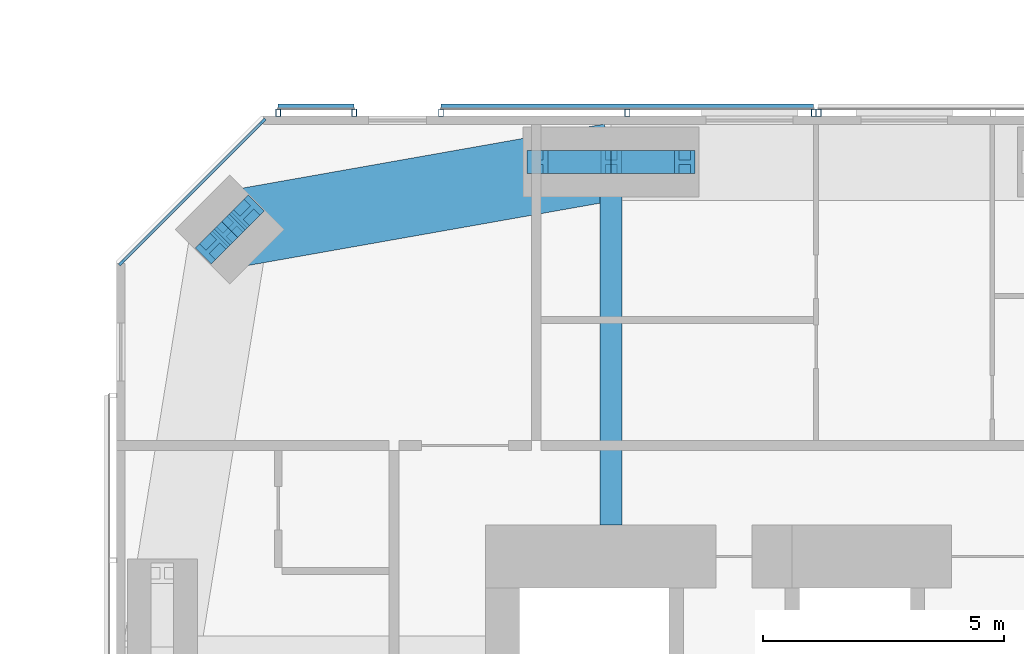
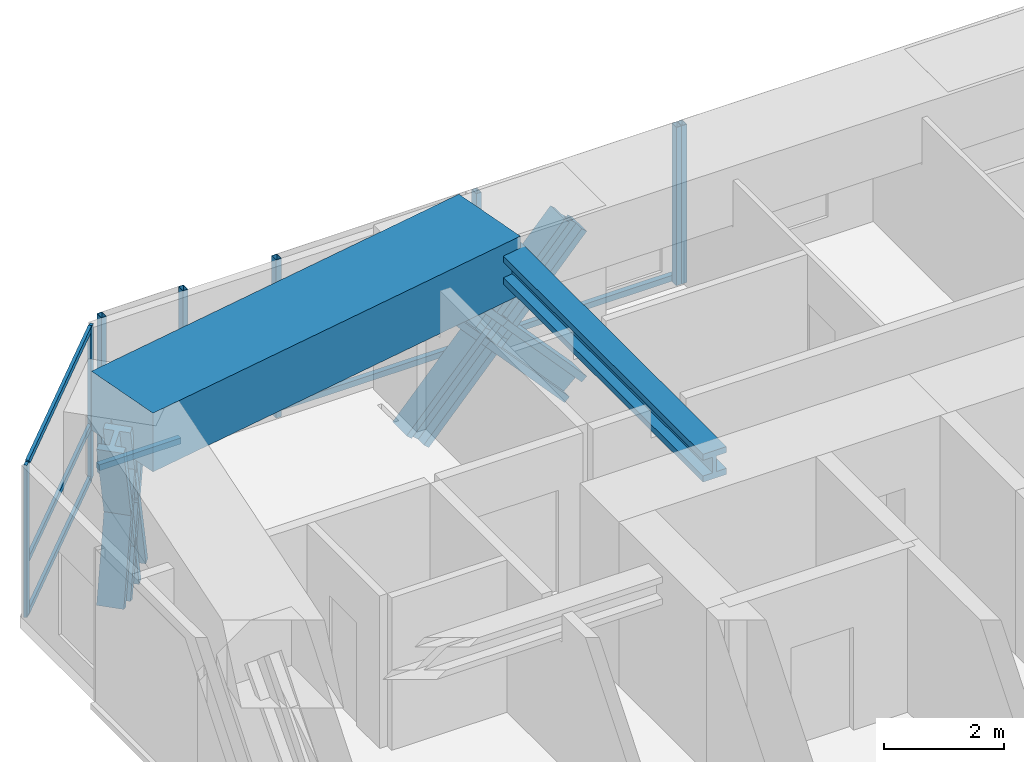
# One storey, part 11 of 23: 21 members, 2 beams, 4 elements without a shape of their own.
"""IFC4 building model written with IfcOpenShell, lengths in metres."""

from ifc_helpers import new_model, si_unit, direction, frame, origin, origin_2d, place, context, subcontext, project, spatial, rectangle, hollow_rectangle, i_section, extrude, material, material_profile, profile_set, type_object, element, aggregate, save


model = new_model("IFC4")

# Units and contexts
model_context = context("Model", 3, precision=1e-05, world=origin(), true_north=direction((0.0, 1.0)))
body_context = subcontext(model_context, "Body", "Model", "MODEL_VIEW")
ifc_project = project(units=[si_unit("LENGTHUNIT", "METRE"), si_unit("AREAUNIT", "SQUARE_METRE"), si_unit("VOLUMEUNIT", "CUBIC_METRE"), si_unit("PLANEANGLEUNIT", "RADIAN"), si_unit("MASSUNIT", "GRAM", prefix="KILO")], contexts=[model_context])

# Site, building, storey
site_placement = place(None, origin())
site = spatial("IfcSite", under=ifc_project, at=site_placement, CompositionType="ELEMENT")
building_placement = place(site_placement, origin())
building = spatial("IfcBuilding", under=site, at=building_placement, Name="Jalousie Tower", CompositionType="ELEMENT")
storey_placement = place(building_placement, frame((0.0, 0.0, 181.14990234375)))
storey = spatial("IfcBuildingStorey", under=building, at=storey_placement, Name="L49", CompositionType="ELEMENT", Elevation=181.14990234375)

# Curtain wall, members
ifc_material_1 = material(Name="Aluminium curtain wall", Category="aluminium")
curtain_wall_type_1 = type_object("IfcCurtainWallType", Name="CORNER WINDOW WALL", PredefinedType="USERDEFINED", material=ifc_material_1)
curtain_wall_1_placement = place(storey_placement, origin())
curtain_wall_1 = element("IfcCurtainWall", 1, at=curtain_wall_1_placement, inside=storey, type_object=curtain_wall_type_1, Name="Corner Window Wall L49 6", ObjectType="CORNER WINDOW WALL", PredefinedType="USERDEFINED")
ifc_material_2 = material(Name="Aluminium mullion", Category="aluminium")
ifc_material_profile_1 = material_profile(ifc_material_2, rectangle(XDim=0.06005859375, YDim=0.14990234375, at=origin_2d()), Name="MULLION 60x150")
ifc_profile_set_1 = profile_set([ifc_material_profile_1], Name="Aluminium mullion")
member_type_1 = type_object("IfcMemberType", Name="CORNER WINDOW WALL MULLION", PredefinedType="MULLION", material=ifc_profile_set_1)
member_1_placement = place(storey_placement, frame((15.030029296875, 35.891357421875, 0.0), z_axis=(0.0, 0.0, 1.0), x_axis=(0.707106781187, -0.707106781187, 0.0)))
member_1 = element("IfcMember", 2, at=member_1_placement, type_object=member_type_1, Name="CW-C mullion 1", PredefinedType="MULLION", context=body_context, shape_type="SweptSolid", body=[
    extrude(rectangle(XDim=0.06005859375, YDim=0.14990234375, at=origin_2d()), origin(), (0.0, 0.0, 1.0), 3.110107421875),
])
member_2_placement = place(storey_placement, frame((12.108642578125, 32.969970703125, 0.0), z_axis=(0.0, 0.0, 1.0), x_axis=(0.707106781187, -0.707106781187, 0.0)))
member_2 = element("IfcMember", 3, at=member_2_placement, type_object=member_type_1, Name="CW-C mullion 2", PredefinedType="MULLION", context=body_context, shape_type="SweptSolid", body=[
    extrude(rectangle(XDim=0.06005859375, YDim=0.14990234375, at=origin_2d()), origin(), (0.0, 0.0, 1.0), 3.110107421875),
])
ifc_material_3 = material(Name="Aluminium transom", Category="aluminium")
ifc_material_profile_2 = material_profile(ifc_material_3, rectangle(XDim=0.06005859375, YDim=0.1201171875, at=origin_2d()), Name="TRANSOM 60x120")
ifc_profile_set_2 = profile_set([ifc_material_profile_2], Name="Aluminium transom")
member_type_2 = type_object("IfcMemberType", Name="CORNER WINDOW WALL TRANSOM", PredefinedType="USERDEFINED", material=ifc_profile_set_2)
member_3_placement = place(storey_placement, frame((15.0087890625, 35.8701171875, 0.030029296875), z_axis=(-0.707106781187, -0.707106781187, 0.0), x_axis=(0.707106781187, -0.707106781187, 0.0)))
member_3 = element("IfcMember", 4, at=member_3_placement, type_object=member_type_2, Name="CW-C transom 1.1", ObjectType="TRANSOM", PredefinedType="USERDEFINED", context=body_context, shape_type="SweptSolid", body=[
    extrude(rectangle(XDim=0.06005859375, YDim=0.1201171875, at=origin_2d()), origin(), (0.0, 0.0, 1.0), 4.0712890625),
])
member_4_placement = place(storey_placement, frame((15.0087890625, 35.8701171875, 1.10009765625), z_axis=(-0.707106781187, -0.707106781187, 0.0), x_axis=(0.707106781187, -0.707106781187, 0.0)))
member_4 = element("IfcMember", 5, at=member_4_placement, type_object=member_type_2, Name="CW-C transom 1.2", ObjectType="TRANSOM", PredefinedType="USERDEFINED", context=body_context, shape_type="SweptSolid", body=[
    extrude(rectangle(XDim=0.06005859375, YDim=0.1201171875, at=origin_2d()), origin(), (0.0, 0.0, 1.0), 4.0712890625),
])
member_5_placement = place(storey_placement, frame((15.0087890625, 35.8701171875, 3.080078125), z_axis=(-0.707106781187, -0.707106781187, 0.0), x_axis=(0.707106781187, -0.707106781187, 0.0)))
member_5 = element("IfcMember", 6, at=member_5_placement, type_object=member_type_2, Name="CW-C transom 1.3", ObjectType="TRANSOM", PredefinedType="USERDEFINED", context=body_context, shape_type="SweptSolid", body=[
    extrude(rectangle(XDim=0.06005859375, YDim=0.1201171875, at=origin_2d()), origin(), (0.0, 0.0, 1.0), 4.0712890625),
])
aggregate(curtain_wall_1, [member_1, member_2, member_3, member_4, member_5])

# Beam
ifc_material_4 = material(Name="Steel ASTM A992 Grade 50", Category="steel")
ifc_material_profile_3 = material_profile(ifc_material_4, i_section(OverallWidth=0.45458984375, OverallDepth=0.569091796875, WebThickness=0.077880859375, FlangeThickness=0.124755859375, at=origin_2d()), Name="W14X730")
ifc_profile_set_3 = profile_set([ifc_material_profile_3], Name="Steel ASTM A992 Grade 50")
beam_type_1 = type_object("IfcBeamType", Name="LEAN COLLECTOR W14X730", PredefinedType="BEAM", material=ifc_profile_set_3)
beam_1_placement = place(storey_placement, frame((22.25, 35.050048828125, 2.82568359375), z_axis=(0.0, -1.0, 0.0), x_axis=(1.0, 0.0, 0.0)))
element("IfcBeam", 7, at=beam_1_placement, inside=storey, type_object=beam_type_1, Name="Lean collector under L50", PredefinedType="BEAM", context=body_context, shape_type="SweptSolid", body=[
    extrude(i_section(OverallWidth=0.45458984375, OverallDepth=0.569091796875, WebThickness=0.077880859375, FlangeThickness=0.124755859375, at=origin_2d()), origin(), (0.0, 0.0, 1.0), 7.525146484375),
])

# Members
ifc_material_5 = material(Name="Steel ASTM A992 Grade 50", Category="steel")
ifc_material_profile_4 = material_profile(ifc_material_5, i_section(OverallWidth=0.472412109375, OverallDepth=0.5791015625, WebThickness=0.094970703125, FlangeThickness=0.1298828125, at=origin_2d()), Name="W14X808")
ifc_profile_set_4 = profile_set([ifc_material_profile_4], Name="Steel ASTM A992 Grade 50")
member_type_3 = type_object("IfcMemberType", Name="PERIMETER BRACE W14X808", PredefinedType="BRACE", material=ifc_profile_set_4)
for number, where, z_axis, x_axis, name in (
    (8, (20.72509765625, 35.050048828125, -0.599853515625), (0.673187629365, 0.0, 0.739471713908), (0.0, 1.0, 0.0), "Perimeter brace 11 L49 part 1"),
    (9, (22.25, 35.050048828125, 1.0751953125), (0.673241284601, 0.0, 0.739422864611), (0.0, 1.0, 0.0), "Perimeter brace 11 L49 part 2"),
    (10, (23.77490234375, 35.050048828125, -0.599853515625), (-0.673187629365, 0.0, 0.739471713908), (0.0, -1.0, 0.0), "Perimeter brace 11 L49 part 3"),
    (11, (22.25, 35.050048828125, 1.0751953125), (-0.673241284601, 0.0, 0.739422864611), (0.0, -1.0, 0.0), "Perimeter brace 11 L49 part 4"),
):
    element("IfcMember", number, at=place(storey_placement, frame(where, z_axis=z_axis, x_axis=x_axis)), inside=storey, type_object=member_type_3, Name=name, PredefinedType="BRACE", context=body_context, shape_type="SweptSolid", body=[
        extrude(i_section(OverallWidth=0.472412109375, OverallDepth=0.5791015625, WebThickness=0.094970703125, FlangeThickness=0.1298828125, at=origin_2d()), origin(), (0.0, 0.0, 1.0), 2.26513671875),
    ])
member_6_placement = place(storey_placement, frame((14.7021484375, 34.0048828125, -0.599853515625), z_axis=(-0.202372069365, -0.202092742837, 0.958229653493), x_axis=(0.706618279267, -0.707594945859, 0.0)))
element("IfcMember", 12, at=member_6_placement, inside=storey, type_object=member_type_3, Name="Perimeter brace 12 L49 part 1", PredefinedType="BRACE", context=body_context, shape_type="SweptSolid", body=[
    extrude(i_section(OverallWidth=0.472412109375, OverallDepth=0.5791015625, WebThickness=0.094970703125, FlangeThickness=0.1298828125, at=origin_2d()), origin(), (0.0, 0.0, 1.0), 1.748046875),
])
member_7_placement = place(storey_placement, frame((14.348388671875, 33.651611328125, 1.0751953125), z_axis=(-0.202119792263, -0.202399156177, 0.958218227313), x_axis=(0.707594945859, -0.706618279267, 0.0)))
element("IfcMember", 13, at=member_7_placement, inside=storey, type_object=member_type_3, Name="Perimeter brace 12 L49 part 2", PredefinedType="BRACE", context=body_context, shape_type="SweptSolid", body=[
    extrude(i_section(OverallWidth=0.472412109375, OverallDepth=0.5791015625, WebThickness=0.094970703125, FlangeThickness=0.1298828125, at=origin_2d()), origin(), (0.0, 0.0, 1.0), 1.747802734375),
])
member_8_placement = place(storey_placement, frame((13.9951171875, 33.2978515625, -0.599853515625), z_axis=(0.202092742837, 0.202372069365, 0.958229653493), x_axis=(-0.707594945859, 0.706618279267, 0.0)))
element("IfcMember", 14, at=member_8_placement, inside=storey, type_object=member_type_3, Name="Perimeter brace 12 L49 part 3", PredefinedType="BRACE", context=body_context, shape_type="SweptSolid", body=[
    extrude(i_section(OverallWidth=0.472412109375, OverallDepth=0.5791015625, WebThickness=0.094970703125, FlangeThickness=0.1298828125, at=origin_2d()), origin(), (0.0, 0.0, 1.0), 1.748046875),
])
member_9_placement = place(storey_placement, frame((14.348388671875, 33.651611328125, 1.0751953125), z_axis=(0.202399156177, 0.202119792263, 0.958218227313), x_axis=(-0.706618279267, 0.707594945859, 0.0)))
element("IfcMember", 15, at=member_9_placement, inside=storey, type_object=member_type_3, Name="Perimeter brace 12 L49 part 4", PredefinedType="BRACE", context=body_context, shape_type="SweptSolid", body=[
    extrude(i_section(OverallWidth=0.472412109375, OverallDepth=0.5791015625, WebThickness=0.094970703125, FlangeThickness=0.1298828125, at=origin_2d()), origin(), (0.0, 0.0, 1.0), 1.747802734375),
])

# Beam
ifc_material_6 = material(Name="Concrete f'c 40 MPa", Category="concrete")
ifc_material_profile_5 = material_profile(ifc_material_6, rectangle(XDim=1.60009765625, YDim=1.199951171875, at=origin_2d()), Name="RC 1600x1200")
ifc_profile_set_5 = profile_set([ifc_material_profile_5], Name="Concrete f'c 40 MPa")
beam_type_2 = type_object("IfcBeamType", Name="RC BEAM 1600x1200", PredefinedType="BEAM", material=ifc_profile_set_5)
beam_2_placement = place(storey_placement, frame((22.25, 35.050048828125, 2.75), z_axis=(-0.984697370688, -0.174273027632, 0.0), x_axis=(0.174273027632, -0.984697370688, 0.0)))
element("IfcBeam", 16, at=beam_2_placement, inside=storey, type_object=beam_type_2, Name="Edge band beam 11-12 under L50", PredefinedType="BEAM", context=body_context, shape_type="SweptSolid", body=[
    extrude(rectangle(XDim=1.60009765625, YDim=1.199951171875, at=origin_2d()), origin(), (0.0, 0.0, 1.0), 8.0244140625),
])

# Curtain wall, member
ifc_material_7 = material(Name="Perforated aluminium sheet", Category="aluminium")
curtain_wall_type_2 = type_object("IfcCurtainWallType", Name="SOLAR SCREEN SS-1", PredefinedType="USERDEFINED", material=ifc_material_7)
curtain_wall_2_placement = place(storey_placement, origin())
curtain_wall_2 = element("IfcCurtainWall", 17, at=curtain_wall_2_placement, inside=storey, type_object=curtain_wall_type_2, Name="Solar screen L49", ObjectType="SOLAR SCREEN SS-1", PredefinedType="USERDEFINED")
ifc_material_8 = material(Name="Steel ASTM A500 Grade C", Category="steel")
ifc_material_profile_6 = material_profile(ifc_material_8, hollow_rectangle(XDim=0.1015625, YDim=0.15234375, WallThickness=0.00634765625, at=origin_2d()), Name="HSS6X4X1/4")
ifc_profile_set_6 = profile_set([ifc_material_profile_6], Name="Steel ASTM A500 Grade C")
member_type_4 = type_object("IfcMemberType", Name="SOLAR SCREEN SS-1 MULLION", PredefinedType="MULLION", material=ifc_profile_set_6)
member_10_placement = place(storey_placement, frame((26.550048828125, 36.0712890625, -0.119873046875), z_axis=(0.0, 0.0, 1.0), x_axis=(-1.0, 0.0, 0.0)))
member_10 = element("IfcMember", 18, at=member_10_placement, type_object=member_type_4, Name="SS1 post 3", PredefinedType="MULLION", context=body_context, shape_type="SweptSolid", body=[
    extrude(hollow_rectangle(XDim=0.1015625, YDim=0.15234375, WallThickness=0.00634765625, at=origin_2d()), origin(), (0.0, 0.0, 1.0), 3.22998046875),
])
aggregate(curtain_wall_2, [member_10])

# Curtain wall, members
curtain_wall_3_placement = place(storey_placement, origin())
curtain_wall_3 = element("IfcCurtainWall", 19, at=curtain_wall_3_placement, inside=storey, type_object=curtain_wall_type_2, Name="Solar screen L49", ObjectType="SOLAR SCREEN SS-1", PredefinedType="USERDEFINED")
member_11_placement = place(storey_placement, frame((26.449951171875, 36.0712890625, -0.119873046875), z_axis=(0.0, 0.0, 1.0), x_axis=(-1.0, 0.0, 0.0)))
member_11 = element("IfcMember", 20, at=member_11_placement, type_object=member_type_4, Name="SS1 post 1", PredefinedType="MULLION", context=body_context, shape_type="SweptSolid", body=[
    extrude(hollow_rectangle(XDim=0.1015625, YDim=0.15234375, WallThickness=0.00634765625, at=origin_2d()), origin(), (0.0, 0.0, 1.0), 3.22998046875),
])
member_12_placement = place(storey_placement, frame((22.587890625, 36.0712890625, -0.119873046875), z_axis=(0.0, 0.0, 1.0), x_axis=(-1.0, 0.0, 0.0)))
member_12 = element("IfcMember", 21, at=member_12_placement, type_object=member_type_4, Name="SS1 post 2", PredefinedType="MULLION", context=body_context, shape_type="SweptSolid", body=[
    extrude(hollow_rectangle(XDim=0.1015625, YDim=0.15234375, WallThickness=0.00634765625, at=origin_2d()), origin(), (0.0, 0.0, 1.0), 3.22998046875),
])
member_13_placement = place(storey_placement, frame((18.7255859375, 36.0712890625, -0.119873046875), z_axis=(0.0, 0.0, 1.0), x_axis=(-1.0, 0.0, 0.0)))
member_13 = element("IfcMember", 22, at=member_13_placement, type_object=member_type_4, Name="SS1 post 3", PredefinedType="MULLION", context=body_context, shape_type="SweptSolid", body=[
    extrude(hollow_rectangle(XDim=0.1015625, YDim=0.15234375, WallThickness=0.00634765625, at=origin_2d()), origin(), (0.0, 0.0, 1.0), 3.22998046875),
])

curtain_wall_4_placement = place(storey_placement, origin())
curtain_wall_4 = element("IfcCurtainWall", 23, at=curtain_wall_4_placement, inside=storey, type_object=curtain_wall_type_2, Name="Solar screen L49", ObjectType="SOLAR SCREEN SS-1", PredefinedType="USERDEFINED")
member_14_placement = place(storey_placement, frame((16.925537109375, 36.0712890625, -0.119873046875), z_axis=(0.0, 0.0, 1.0), x_axis=(-1.0, 0.0, 0.0)))
member_14 = element("IfcMember", 24, at=member_14_placement, type_object=member_type_4, Name="SS1 post 1", PredefinedType="MULLION", context=body_context, shape_type="SweptSolid", body=[
    extrude(hollow_rectangle(XDim=0.1015625, YDim=0.15234375, WallThickness=0.00634765625, at=origin_2d()), origin(), (0.0, 0.0, 1.0), 3.22998046875),
])
member_15_placement = place(storey_placement, frame((15.351318359375, 36.0712890625, -0.119873046875), z_axis=(0.0, 0.0, 1.0), x_axis=(-1.0, 0.0, 0.0)))
member_15 = element("IfcMember", 25, at=member_15_placement, type_object=member_type_4, Name="SS1 post 2", PredefinedType="MULLION", context=body_context, shape_type="SweptSolid", body=[
    extrude(hollow_rectangle(XDim=0.1015625, YDim=0.15234375, WallThickness=0.00634765625, at=origin_2d()), origin(), (0.0, 0.0, 1.0), 3.22998046875),
])

# Member
ifc_material_9 = material(Name="Extruded aluminium screen rail", Category="aluminium")
ifc_material_profile_7 = material_profile(ifc_material_9, rectangle(XDim=0.1015625, YDim=0.1201171875, at=origin_2d()), Name="RAIL 102x120")
ifc_profile_set_7 = profile_set([ifc_material_profile_7], Name="Extruded aluminium screen rail")
member_type_5 = type_object("IfcMemberType", Name="SOLAR SCREEN SS-1 TRANSOM", PredefinedType="USERDEFINED", material=ifc_profile_set_7)
member_16_placement = place(storey_placement, frame((26.449951171875, 36.1982421875, -0.059814453125), z_axis=(-1.0, 0.0, 0.0), x_axis=(0.0, -1.0, 0.0)))
member_16 = element("IfcMember", 26, at=member_16_placement, type_object=member_type_5, Name="SS1 rail", ObjectType="TRANSOM", PredefinedType="USERDEFINED", context=body_context, shape_type="SweptSolid", body=[
    extrude(rectangle(XDim=0.1015625, YDim=0.1201171875, at=origin_2d()), origin(), (0.0, 0.0, 1.0), 7.724365234375),
])

aggregate(curtain_wall_3, [member_11, member_12, member_13, member_16])

member_17_placement = place(storey_placement, frame((16.925537109375, 36.1982421875, -0.059814453125), z_axis=(-1.0, 0.0, 0.0), x_axis=(0.0, -1.0, 0.0)))
member_17 = element("IfcMember", 27, at=member_17_placement, type_object=member_type_5, Name="SS1 rail", ObjectType="TRANSOM", PredefinedType="USERDEFINED", context=body_context, shape_type="SweptSolid", body=[
    extrude(rectangle(XDim=0.1015625, YDim=0.1201171875, at=origin_2d()), origin(), (0.0, 0.0, 1.0), 1.57421875),
])

aggregate(curtain_wall_4, [member_14, member_15, member_17])

save(model, "model.ifc")
